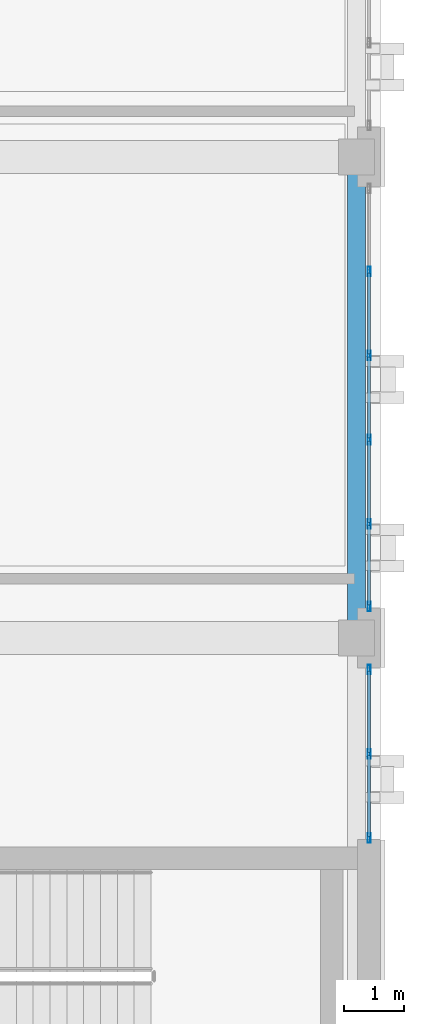
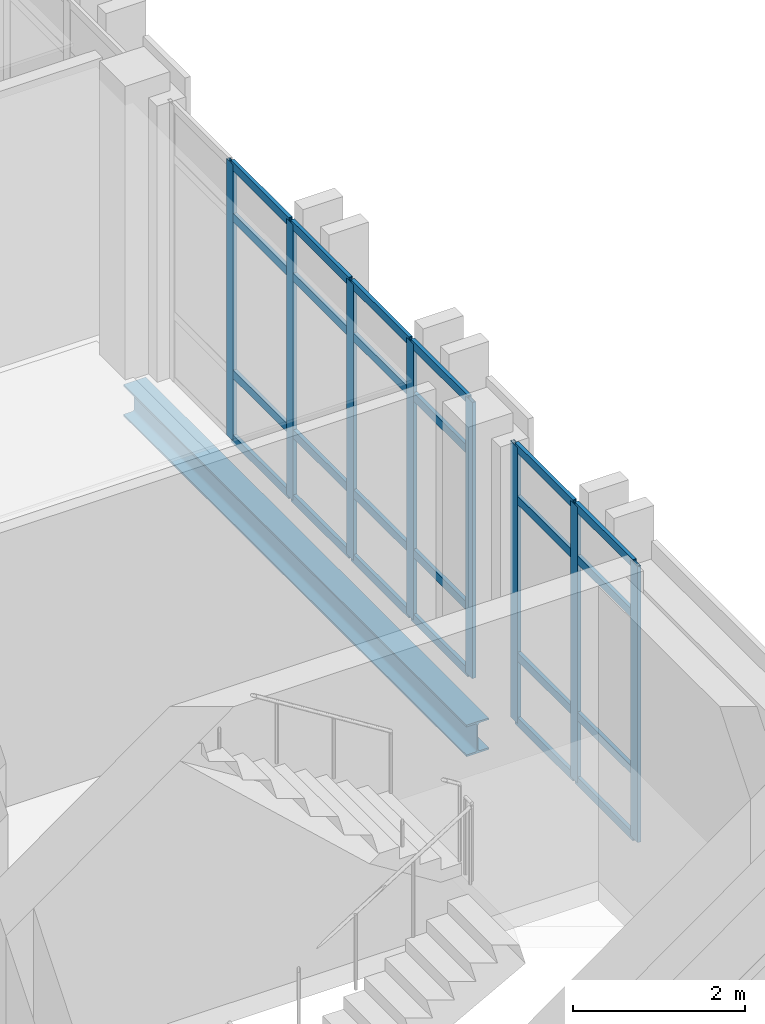
# One storey, part 24 of 90: 32 members, 1 beam, 2 elements without a shape of their own.
"""IFC4 building model written with IfcOpenShell, lengths in metres."""

import ifcopenshell
import ifcopenshell.guid

model = None  # the IFC model being written
_history = None  # IfcOwnerHistory: only IFC2X3 demands one
_inside = {}  # id of a spatial element -> (the spatial element, [elements in it])
_under = {}  # id of a project, library or spatial element -> (it, [spatial elements below it])
_declared = {}  # id of a project -> (the project, [libraries it declares])
_typed = {}  # id of a type object -> (the type object, [elements of that type])
_made_of = {}  # id of a material, layer set ... -> (it, [elements and type objects made of it])


def new_model(schema):
    """Start an empty IFC model of exactly this schema.

    Asked for "IFC4X3", IfcOpenShell would pick the latest addendum, in which some entities
    have other attributes; the version numbers below select the first issue.
    IFC2X3 requires an IfcOwnerHistory on every rooted entity: one is made here for all.
    """
    global model, _history
    if schema == "IFC4X3":
        model = ifcopenshell.file(schema_version=(4, 3, 0, 0))
    else:
        model = ifcopenshell.file(schema=schema)
    _inside.clear()
    _under.clear()
    _declared.clear()
    _typed.clear()
    _made_of.clear()
    _history = None
    if model.schema == "IFC2X3":
        org = make("IfcOrganization", Name="unknown")
        user = make(
            "IfcPersonAndOrganization",
            ThePerson=make("IfcPerson", FamilyName="unknown"),
            TheOrganization=org,
        )
        app = make(
            "IfcApplication",
            ApplicationDeveloper=org,
            Version="unknown",
            ApplicationFullName="unknown",
            ApplicationIdentifier="unknown",
        )
        _history = make(
            "IfcOwnerHistory",
            OwningUser=user,
            OwningApplication=app,
            ChangeAction="ADDED",
            CreationDate=0,
        )
    return model


def make(cls, **values):
    """One entity of the class cls with the attributes given. An attribute that is None is left unset."""
    return model.create_entity(
        cls, **{name: value for name, value in values.items() if value is not None}
    )


def rooted(cls, **values):
    """An entity with a GlobalId (a new one), such as an element, a storey or a relation."""
    return make(cls, GlobalId=ifcopenshell.guid.new(), OwnerHistory=_history, **values)


def si_unit(unit_type, name, prefix=None):
    """IfcSIUnit, for example si_unit("LENGTHUNIT", "METRE", prefix="MILLI")."""
    return make("IfcSIUnit", UnitType=unit_type, Prefix=prefix, Name=name)


def assignment(units):
    """IfcUnitAssignment: the units of a project."""
    return None if units is None else make("IfcUnitAssignment", Units=units)


def point(xyz):
    """IfcCartesianPoint."""
    return None if xyz is None else make("IfcCartesianPoint", Coordinates=xyz)


def direction(xyz):
    """IfcDirection."""
    return None if xyz is None else make("IfcDirection", DirectionRatios=xyz)


def frame(location, z_axis=None, x_axis=None):
    """IfcAxis2Placement3D, a coordinate frame: its origin and axes. An axis left out is left unset."""
    return make(
        "IfcAxis2Placement3D",
        Location=point(location),
        Axis=direction(z_axis),
        RefDirection=direction(x_axis),
    )


def frame_2d(location, x_axis=None):
    """IfcAxis2Placement2D, a coordinate frame in the plane: its origin and x axis."""
    return make(
        "IfcAxis2Placement2D", Location=point(location), RefDirection=direction(x_axis)
    )


def origin():
    """The frame at (0, 0, 0) with its axes left unset."""
    return frame((0.0, 0.0, 0.0))


def origin_2d():
    """The frame at (0, 0) in the plane with its x axis left unset."""
    return frame_2d((0.0, 0.0))


def place(relative_to, where):
    """IfcLocalPlacement: puts the frame where relative to a parent placement (None: the world)."""
    return make(
        "IfcLocalPlacement", PlacementRelTo=relative_to, RelativePlacement=where
    )


def context(
    kind, dimensions, precision=None, world=None, true_north=None, identifier=None
):
    """IfcGeometricRepresentationContext, for example the 3D "Model" context."""
    return make(
        "IfcGeometricRepresentationContext",
        ContextIdentifier=identifier,
        ContextType=kind,
        CoordinateSpaceDimension=dimensions,
        Precision=precision,
        WorldCoordinateSystem=world,
        TrueNorth=true_north,
    )


def subcontext(parent, identifier, kind, view, scale=None):
    """IfcGeometricRepresentationSubContext, for example "Body" below "Model"."""
    return make(
        "IfcGeometricRepresentationSubContext",
        ContextIdentifier=identifier,
        ContextType=kind,
        ParentContext=parent,
        TargetScale=scale,
        TargetView=view,
    )


def project(units=None, contexts=None):
    """IfcProject with its units and contexts."""
    return rooted(
        "IfcProject",
        Name="project",
        RepresentationContexts=contexts,
        UnitsInContext=assignment(units),
    )


def spatial(cls, under=None, at=None, **own):
    """A site, building, storey or space (cls), placed at a placement, below another one or the project."""
    s = rooted(cls, ObjectPlacement=at, **own)
    if under is not None:
        _under.setdefault(under.id(), (under, []))[1].append(s)
    return s


def profile(cls, at=None, kind="AREA", **sizes):
    """A parametric profile (cls). Its sizes go by their IFC names, for example OverallWidth=200.0."""
    return make(cls, ProfileType=kind, Position=at, **sizes)


def hollow_rectangle(**sizes):
    """IfcRectangleHollowProfileDef."""
    return profile("IfcRectangleHollowProfileDef", **sizes)


def i_section(**sizes):
    """IfcIShapeProfileDef."""
    return profile("IfcIShapeProfileDef", **sizes)


def extrude(swept, where, along, depth):
    """IfcExtrudedAreaSolid: the profile swept, set in the frame where, extruded along a direction by depth."""
    return make(
        "IfcExtrudedAreaSolid",
        SweptArea=swept,
        Position=where,
        ExtrudedDirection=direction(along),
        Depth=depth,
    )


def shape(context_of_items, identifier, shape_type, items):
    """IfcShapeRepresentation: the items that make up one representation, for example the "Body"."""
    return make(
        "IfcShapeRepresentation",
        ContextOfItems=context_of_items,
        RepresentationIdentifier=identifier,
        RepresentationType=shape_type,
        Items=items,
    )


def material(Name=None, Category=None):
    """IfcMaterial."""
    return make("IfcMaterial", Name=Name, Category=Category)


def layer(
    of_material, thickness, ventilated=None, Name=None, Category=None, Priority=None
):
    """IfcMaterialLayer: one layer of a wall or slab, of a material (None: an air gap)."""
    return make(
        "IfcMaterialLayer",
        Material=of_material,
        LayerThickness=thickness,
        IsVentilated=ventilated,
        Name=Name,
        Category=Category,
        Priority=Priority,
    )


def layer_set(layers, Name=None):
    """IfcMaterialLayerSet."""
    return make("IfcMaterialLayerSet", MaterialLayers=layers, LayerSetName=Name)


def material_profile(
    of_material, cross_section, Name=None, Category=None, Priority=None
):
    """IfcMaterialProfile: a cross section and its material."""
    return make(
        "IfcMaterialProfile",
        Name=Name,
        Material=of_material,
        Profile=cross_section,
        Priority=Priority,
        Category=Category,
    )


def profile_set(profiles, Name=None, composite=None):
    """IfcMaterialProfileSet."""
    return make(
        "IfcMaterialProfileSet",
        Name=Name,
        MaterialProfiles=profiles,
        CompositeProfile=composite,
    )


def made_of(thing, what):
    """Note that an element or type object is made of a material, layer set ...; save() writes the relation."""
    if what is not None:
        _made_of.setdefault(what.id(), (what, []))[1].append(thing)
    return thing


def type_object(cls, material=None, **own):
    """A type object (cls), such as IfcWallType, which elements share."""
    return made_of(rooted(cls, **own), material)


def element(
    cls,
    number,
    at=None,
    inside=None,
    cuts=None,
    type_object=None,
    material=None,
    context=None,
    identifier="Body",
    shape_type=None,
    held_by="IfcProductDefinitionShape",
    body=None,
    shapes=None,
    **own,
):
    """One element of the class cls, such as IfcWall. Its Tag is "e" and its number.

    at: its placement. inside: the storey or other place that contains it. cuts: it is an
    opening in that element (IfcRelVoidsElement). A single representation is given by context,
    identifier, shape_type and body (its items); several are given by shapes. held_by: the class
    of the entity that holds the representations. save() writes the other relations.
    """
    e = rooted(cls, Tag="e%d" % number, ObjectPlacement=at, **own)
    if body is not None:
        shapes = [shape(context, identifier, shape_type, body)]
    if shapes is not None:
        e.Representation = make(held_by, Representations=shapes)
    if inside is not None:
        _inside.setdefault(inside.id(), (inside, []))[1].append(e)
    if cuts is not None:
        rooted(
            "IfcRelVoidsElement", RelatingBuildingElement=cuts, RelatedOpeningElement=e
        )
    if type_object is not None:
        _typed.setdefault(type_object.id(), (type_object, []))[1].append(e)
    return made_of(e, material)


def aggregate(whole, parts):
    """IfcRelAggregates: a whole, such as a stair, and the parts it consists of."""
    return rooted("IfcRelAggregates", RelatingObject=whole, RelatedObjects=parts)


def save(model, path):
    """Write the relations noted so far, then the file.

    IfcRelAggregates (storeys below a building ...), IfcRelContainedInSpatialStructure (elements
    in a storey), IfcRelDefinesByType, IfcRelAssociatesMaterial and IfcRelDeclares: one each for
    every whole, place, type object, material and project.
    """
    for whole, parts in _under.values():
        aggregate(whole, parts)
    for where, things in _inside.values():
        rooted(
            "IfcRelContainedInSpatialStructure",
            RelatedElements=things,
            RelatingStructure=where,
        )
    for kind, things in _typed.values():
        rooted("IfcRelDefinesByType", RelatedObjects=things, RelatingType=kind)
    for what, things in _made_of.values():
        rooted("IfcRelAssociatesMaterial", RelatedObjects=things, RelatingMaterial=what)
    for by, libraries in _declared.values():
        rooted("IfcRelDeclares", RelatingContext=by, RelatedDefinitions=libraries)
    model.write(path)


model = new_model("IFC4")

# Units and contexts
model_context = context("Model", 3, precision=1e-05, world=origin(), true_north=direction((0.0, 1.0)))
body_context = subcontext(model_context, "Body", "Model", "MODEL_VIEW")
ifc_project = project(units=[si_unit("LENGTHUNIT", "METRE"), si_unit("AREAUNIT", "SQUARE_METRE"), si_unit("VOLUMEUNIT", "CUBIC_METRE"), si_unit("PLANEANGLEUNIT", "RADIAN"), si_unit("MASSUNIT", "GRAM", prefix="KILO")], contexts=[model_context])

# Site, building, storey
site_placement = place(None, origin())
site = spatial("IfcSite", under=ifc_project, at=site_placement, CompositionType="ELEMENT")
building_placement = place(site_placement, origin())
building = spatial("IfcBuilding", under=site, at=building_placement, Name="Qalavern Law Courts", CompositionType="ELEMENT")
storey_placement = place(building_placement, frame((0.0, 0.0, 22.800048828125)))
storey = spatial("IfcBuildingStorey", under=building, at=storey_placement, Name="L05", CompositionType="ELEMENT", Elevation=22.800048828125)

# Curtain wall, members
ifc_material_1 = material(Name="Anodised aluminium and insulated glazing", Category="aluminium")
ifc_layer = layer(ifc_material_1, 0.159912109375)
ifc_layer_set = layer_set([ifc_layer], Name="Anodised aluminium and insulated glazing")
curtain_wall_type = type_object("IfcCurtainWallType", Name="ENV-CW-CHAMB", PredefinedType="USERDEFINED", material=ifc_layer_set)
curtain_wall_1_placement = place(storey_placement, origin())
curtain_wall_1 = element("IfcCurtainWall", 1, at=curtain_wall_1_placement, inside=storey, type_object=curtain_wall_type, Name="V4 unitised curtain wall L05 east 1", ObjectType="UNITISED CURTAIN WALL", PredefinedType="USERDEFINED")
ifc_material_2 = material(Name="Anodised aluminium", Category="aluminium")
ifc_material_profile_1 = material_profile(ifc_material_2, hollow_rectangle(XDim=0.048095703125, YDim=0.159912109375, WallThickness=0.00390625, at=origin_2d()), Name="ALU MULLION 48x160")
ifc_profile_set_1 = profile_set([ifc_material_profile_1], Name="Anodised aluminium")
member_type_1 = type_object("IfcMemberType", Name="ENV-CWM-48x160", PredefinedType="MULLION", material=ifc_profile_set_1)
member_1_placement = place(storey_placement, frame((106.607421875, 46.073974609375, 0.0), z_axis=(0.0, 0.0, 1.0), x_axis=(-1.0, 0.0, 0.0)))
member_1 = element("IfcMember", 2, at=member_1_placement, type_object=member_type_1, Name="CW-04 mullion 1", PredefinedType="MULLION", context=body_context, shape_type="SweptSolid", body=[
    extrude(hollow_rectangle(XDim=0.048095703125, YDim=0.159912109375, WallThickness=0.00390625, at=origin_2d()), origin(), (0.0, 0.0, 1.0), 3.929931640625),
])
member_2_placement = place(storey_placement, frame((106.607421875, 47.47509765625, 0.0), z_axis=(0.0, 0.0, 1.0), x_axis=(-1.0, 0.0, 0.0)))
member_2 = element("IfcMember", 3, at=member_2_placement, type_object=member_type_1, Name="CW-04 mullion 2", PredefinedType="MULLION", context=body_context, shape_type="SweptSolid", body=[
    extrude(hollow_rectangle(XDim=0.048095703125, YDim=0.159912109375, WallThickness=0.00390625, at=origin_2d()), origin(), (0.0, 0.0, 1.0), 3.929931640625),
])
member_3_placement = place(storey_placement, frame((106.607421875, 48.8759765625, 0.0), z_axis=(0.0, 0.0, 1.0), x_axis=(-1.0, 0.0, 0.0)))
member_3 = element("IfcMember", 4, at=member_3_placement, type_object=member_type_1, Name="CW-04 mullion 3", PredefinedType="MULLION", context=body_context, shape_type="SweptSolid", body=[
    extrude(hollow_rectangle(XDim=0.048095703125, YDim=0.159912109375, WallThickness=0.00390625, at=origin_2d()), origin(), (0.0, 0.0, 1.0), 3.929931640625),
])

curtain_wall_2_placement = place(storey_placement, origin())
curtain_wall_2 = element("IfcCurtainWall", 5, at=curtain_wall_2_placement, inside=storey, type_object=curtain_wall_type, Name="V4 unitised curtain wall L05 east 2", ObjectType="UNITISED CURTAIN WALL", PredefinedType="USERDEFINED")
member_4_placement = place(storey_placement, frame((106.607421875, 49.924072265625, 0.0), z_axis=(0.0, 0.0, 1.0), x_axis=(-1.0, 0.0, 0.0)))
member_4 = element("IfcMember", 6, at=member_4_placement, type_object=member_type_1, Name="CW-04 mullion 1", PredefinedType="MULLION", context=body_context, shape_type="SweptSolid", body=[
    extrude(hollow_rectangle(XDim=0.048095703125, YDim=0.159912109375, WallThickness=0.00390625, at=origin_2d()), origin(), (0.0, 0.0, 1.0), 3.929931640625),
])
member_5_placement = place(storey_placement, frame((106.607421875, 51.300048828125, 0.0), z_axis=(0.0, 0.0, 1.0), x_axis=(-1.0, 0.0, 0.0)))
member_5 = element("IfcMember", 7, at=member_5_placement, type_object=member_type_1, Name="CW-04 mullion 2", PredefinedType="MULLION", context=body_context, shape_type="SweptSolid", body=[
    extrude(hollow_rectangle(XDim=0.048095703125, YDim=0.159912109375, WallThickness=0.00390625, at=origin_2d()), origin(), (0.0, 0.0, 1.0), 3.929931640625),
])
member_6_placement = place(storey_placement, frame((106.607421875, 52.699951171875, 0.0), z_axis=(0.0, 0.0, 1.0), x_axis=(-1.0, 0.0, 0.0)))
member_6 = element("IfcMember", 8, at=member_6_placement, type_object=member_type_1, Name="CW-04 mullion 3", PredefinedType="MULLION", context=body_context, shape_type="SweptSolid", body=[
    extrude(hollow_rectangle(XDim=0.048095703125, YDim=0.159912109375, WallThickness=0.00390625, at=origin_2d()), origin(), (0.0, 0.0, 1.0), 3.929931640625),
])
member_7_placement = place(storey_placement, frame((106.607421875, 54.10009765625, 0.0), z_axis=(0.0, 0.0, 1.0), x_axis=(-1.0, 0.0, 0.0)))
member_7 = element("IfcMember", 9, at=member_7_placement, type_object=member_type_1, Name="CW-04 mullion 4", PredefinedType="MULLION", context=body_context, shape_type="SweptSolid", body=[
    extrude(hollow_rectangle(XDim=0.048095703125, YDim=0.159912109375, WallThickness=0.00390625, at=origin_2d()), origin(), (0.0, 0.0, 1.0), 3.929931640625),
])
member_8_placement = place(storey_placement, frame((106.607421875, 55.5, 0.0), z_axis=(0.0, 0.0, 1.0), x_axis=(-1.0, 0.0, 0.0)))
member_8 = element("IfcMember", 10, at=member_8_placement, type_object=member_type_1, Name="CW-04 mullion 5", PredefinedType="MULLION", context=body_context, shape_type="SweptSolid", body=[
    extrude(hollow_rectangle(XDim=0.048095703125, YDim=0.159912109375, WallThickness=0.00390625, at=origin_2d()), origin(), (0.0, 0.0, 1.0), 3.929931640625),
])

# Member
ifc_material_profile_2 = material_profile(ifc_material_2, hollow_rectangle(XDim=0.048095703125, YDim=0.1201171875, WallThickness=0.00390625, at=origin_2d()), Name="ALU TRANSOM 48x120")
ifc_profile_set_2 = profile_set([ifc_material_profile_2], Name="Anodised aluminium")
member_type_2 = type_object("IfcMemberType", Name="ENV-CWT-48x120", PredefinedType="USERDEFINED", material=ifc_profile_set_2)
member_9_placement = place(storey_placement, frame((106.607421875, 46.097900390625, 0.02392578125), z_axis=(0.0, 1.0, 0.0), x_axis=(-1.0, 0.0, 0.0)))
member_9 = element("IfcMember", 11, at=member_9_placement, type_object=member_type_2, Name="CW-04 transom 1.1", ObjectType="TRANSOM", PredefinedType="USERDEFINED", context=body_context, shape_type="SweptSolid", body=[
    extrude(hollow_rectangle(XDim=0.048095703125, YDim=0.1201171875, WallThickness=0.00390625, at=origin_2d()), origin(), (0.0, 0.0, 1.0), 1.35302734375),
])

member_10_placement = place(storey_placement, frame((106.607421875, 46.097900390625, 0.949951171875), z_axis=(0.0, 1.0, 0.0), x_axis=(-1.0, 0.0, 0.0)))
member_10 = element("IfcMember", 12, at=member_10_placement, type_object=member_type_2, Name="CW-04 transom 1.2", ObjectType="TRANSOM", PredefinedType="USERDEFINED", context=body_context, shape_type="SweptSolid", body=[
    extrude(hollow_rectangle(XDim=0.048095703125, YDim=0.1201171875, WallThickness=0.00390625, at=origin_2d()), origin(), (0.0, 0.0, 1.0), 1.35302734375),
])

member_11_placement = place(storey_placement, frame((106.607421875, 46.097900390625, 3.179931640625), z_axis=(0.0, 1.0, 0.0), x_axis=(-1.0, 0.0, 0.0)))
member_11 = element("IfcMember", 13, at=member_11_placement, type_object=member_type_2, Name="CW-04 transom 1.3", ObjectType="TRANSOM", PredefinedType="USERDEFINED", context=body_context, shape_type="SweptSolid", body=[
    extrude(hollow_rectangle(XDim=0.048095703125, YDim=0.1201171875, WallThickness=0.00390625, at=origin_2d()), origin(), (0.0, 0.0, 1.0), 1.35302734375),
])

member_12_placement = place(storey_placement, frame((106.607421875, 46.097900390625, 3.906005859375), z_axis=(0.0, 1.0, 0.0), x_axis=(-1.0, 0.0, 0.0)))
member_12 = element("IfcMember", 14, at=member_12_placement, type_object=member_type_2, Name="CW-04 transom 1.4", ObjectType="TRANSOM", PredefinedType="USERDEFINED", context=body_context, shape_type="SweptSolid", body=[
    extrude(hollow_rectangle(XDim=0.048095703125, YDim=0.1201171875, WallThickness=0.00390625, at=origin_2d()), origin(), (0.0, 0.0, 1.0), 1.35302734375),
])

member_13_placement = place(storey_placement, frame((106.607421875, 47.4990234375, 0.02392578125), z_axis=(0.0, 1.0, 0.0), x_axis=(-1.0, 0.0, 0.0)))
member_13 = element("IfcMember", 15, at=member_13_placement, type_object=member_type_2, Name="CW-04 transom 2.1", ObjectType="TRANSOM", PredefinedType="USERDEFINED", context=body_context, shape_type="SweptSolid", body=[
    extrude(hollow_rectangle(XDim=0.048095703125, YDim=0.1201171875, WallThickness=0.00390625, at=origin_2d()), origin(), (0.0, 0.0, 1.0), 1.35302734375),
])

member_14_placement = place(storey_placement, frame((106.607421875, 47.4990234375, 0.949951171875), z_axis=(0.0, 1.0, 0.0), x_axis=(-1.0, 0.0, 0.0)))
member_14 = element("IfcMember", 16, at=member_14_placement, type_object=member_type_2, Name="CW-04 transom 2.2", ObjectType="TRANSOM", PredefinedType="USERDEFINED", context=body_context, shape_type="SweptSolid", body=[
    extrude(hollow_rectangle(XDim=0.048095703125, YDim=0.1201171875, WallThickness=0.00390625, at=origin_2d()), origin(), (0.0, 0.0, 1.0), 1.35302734375),
])

member_15_placement = place(storey_placement, frame((106.607421875, 47.4990234375, 3.179931640625), z_axis=(0.0, 1.0, 0.0), x_axis=(-1.0, 0.0, 0.0)))
member_15 = element("IfcMember", 17, at=member_15_placement, type_object=member_type_2, Name="CW-04 transom 2.3", ObjectType="TRANSOM", PredefinedType="USERDEFINED", context=body_context, shape_type="SweptSolid", body=[
    extrude(hollow_rectangle(XDim=0.048095703125, YDim=0.1201171875, WallThickness=0.00390625, at=origin_2d()), origin(), (0.0, 0.0, 1.0), 1.35302734375),
])

member_16_placement = place(storey_placement, frame((106.607421875, 47.4990234375, 3.906005859375), z_axis=(0.0, 1.0, 0.0), x_axis=(-1.0, 0.0, 0.0)))
member_16 = element("IfcMember", 18, at=member_16_placement, type_object=member_type_2, Name="CW-04 transom 2.4", ObjectType="TRANSOM", PredefinedType="USERDEFINED", context=body_context, shape_type="SweptSolid", body=[
    extrude(hollow_rectangle(XDim=0.048095703125, YDim=0.1201171875, WallThickness=0.00390625, at=origin_2d()), origin(), (0.0, 0.0, 1.0), 1.35302734375),
])

aggregate(curtain_wall_1, [member_1, member_2, member_3, member_9, member_10, member_11, member_12, member_13, member_14, member_15, member_16])

member_17_placement = place(storey_placement, frame((106.607421875, 49.947998046875, 0.02392578125), z_axis=(0.0, 1.0, 0.0), x_axis=(-1.0, 0.0, 0.0)))
member_17 = element("IfcMember", 19, at=member_17_placement, type_object=member_type_2, Name="CW-04 transom 1.1", ObjectType="TRANSOM", PredefinedType="USERDEFINED", context=body_context, shape_type="SweptSolid", body=[
    extrude(hollow_rectangle(XDim=0.048095703125, YDim=0.1201171875, WallThickness=0.00390625, at=origin_2d()), origin(), (0.0, 0.0, 1.0), 1.327880859375),
])

member_18_placement = place(storey_placement, frame((106.607421875, 49.947998046875, 0.949951171875), z_axis=(0.0, 1.0, 0.0), x_axis=(-1.0, 0.0, 0.0)))
member_18 = element("IfcMember", 20, at=member_18_placement, type_object=member_type_2, Name="CW-04 transom 1.2", ObjectType="TRANSOM", PredefinedType="USERDEFINED", context=body_context, shape_type="SweptSolid", body=[
    extrude(hollow_rectangle(XDim=0.048095703125, YDim=0.1201171875, WallThickness=0.00390625, at=origin_2d()), origin(), (0.0, 0.0, 1.0), 1.327880859375),
])

member_19_placement = place(storey_placement, frame((106.607421875, 49.947998046875, 3.179931640625), z_axis=(0.0, 1.0, 0.0), x_axis=(-1.0, 0.0, 0.0)))
member_19 = element("IfcMember", 21, at=member_19_placement, type_object=member_type_2, Name="CW-04 transom 1.3", ObjectType="TRANSOM", PredefinedType="USERDEFINED", context=body_context, shape_type="SweptSolid", body=[
    extrude(hollow_rectangle(XDim=0.048095703125, YDim=0.1201171875, WallThickness=0.00390625, at=origin_2d()), origin(), (0.0, 0.0, 1.0), 1.327880859375),
])

member_20_placement = place(storey_placement, frame((106.607421875, 49.947998046875, 3.906005859375), z_axis=(0.0, 1.0, 0.0), x_axis=(-1.0, 0.0, 0.0)))
member_20 = element("IfcMember", 22, at=member_20_placement, type_object=member_type_2, Name="CW-04 transom 1.4", ObjectType="TRANSOM", PredefinedType="USERDEFINED", context=body_context, shape_type="SweptSolid", body=[
    extrude(hollow_rectangle(XDim=0.048095703125, YDim=0.1201171875, WallThickness=0.00390625, at=origin_2d()), origin(), (0.0, 0.0, 1.0), 1.327880859375),
])

member_21_placement = place(storey_placement, frame((106.607421875, 51.323974609375, 0.02392578125), z_axis=(0.0, 1.0, 0.0), x_axis=(-1.0, 0.0, 0.0)))
member_21 = element("IfcMember", 23, at=member_21_placement, type_object=member_type_2, Name="CW-04 transom 2.1", ObjectType="TRANSOM", PredefinedType="USERDEFINED", context=body_context, shape_type="SweptSolid", body=[
    extrude(hollow_rectangle(XDim=0.048095703125, YDim=0.1201171875, WallThickness=0.00390625, at=origin_2d()), origin(), (0.0, 0.0, 1.0), 1.35205078125),
])

member_22_placement = place(storey_placement, frame((106.607421875, 51.323974609375, 0.949951171875), z_axis=(0.0, 1.0, 0.0), x_axis=(-1.0, 0.0, 0.0)))
member_22 = element("IfcMember", 24, at=member_22_placement, type_object=member_type_2, Name="CW-04 transom 2.2", ObjectType="TRANSOM", PredefinedType="USERDEFINED", context=body_context, shape_type="SweptSolid", body=[
    extrude(hollow_rectangle(XDim=0.048095703125, YDim=0.1201171875, WallThickness=0.00390625, at=origin_2d()), origin(), (0.0, 0.0, 1.0), 1.35205078125),
])

member_23_placement = place(storey_placement, frame((106.607421875, 51.323974609375, 3.179931640625), z_axis=(0.0, 1.0, 0.0), x_axis=(-1.0, 0.0, 0.0)))
member_23 = element("IfcMember", 25, at=member_23_placement, type_object=member_type_2, Name="CW-04 transom 2.3", ObjectType="TRANSOM", PredefinedType="USERDEFINED", context=body_context, shape_type="SweptSolid", body=[
    extrude(hollow_rectangle(XDim=0.048095703125, YDim=0.1201171875, WallThickness=0.00390625, at=origin_2d()), origin(), (0.0, 0.0, 1.0), 1.35205078125),
])

member_24_placement = place(storey_placement, frame((106.607421875, 51.323974609375, 3.906005859375), z_axis=(0.0, 1.0, 0.0), x_axis=(-1.0, 0.0, 0.0)))
member_24 = element("IfcMember", 26, at=member_24_placement, type_object=member_type_2, Name="CW-04 transom 2.4", ObjectType="TRANSOM", PredefinedType="USERDEFINED", context=body_context, shape_type="SweptSolid", body=[
    extrude(hollow_rectangle(XDim=0.048095703125, YDim=0.1201171875, WallThickness=0.00390625, at=origin_2d()), origin(), (0.0, 0.0, 1.0), 1.35205078125),
])

member_25_placement = place(storey_placement, frame((106.607421875, 52.72412109375, 0.02392578125), z_axis=(0.0, 1.0, 0.0), x_axis=(-1.0, 0.0, 0.0)))
member_25 = element("IfcMember", 27, at=member_25_placement, type_object=member_type_2, Name="CW-04 transom 3.1", ObjectType="TRANSOM", PredefinedType="USERDEFINED", context=body_context, shape_type="SweptSolid", body=[
    extrude(hollow_rectangle(XDim=0.048095703125, YDim=0.1201171875, WallThickness=0.00390625, at=origin_2d()), origin(), (0.0, 0.0, 1.0), 1.351806640625),
])

member_26_placement = place(storey_placement, frame((106.607421875, 52.72412109375, 0.949951171875), z_axis=(0.0, 1.0, 0.0), x_axis=(-1.0, 0.0, 0.0)))
member_26 = element("IfcMember", 28, at=member_26_placement, type_object=member_type_2, Name="CW-04 transom 3.2", ObjectType="TRANSOM", PredefinedType="USERDEFINED", context=body_context, shape_type="SweptSolid", body=[
    extrude(hollow_rectangle(XDim=0.048095703125, YDim=0.1201171875, WallThickness=0.00390625, at=origin_2d()), origin(), (0.0, 0.0, 1.0), 1.351806640625),
])

member_27_placement = place(storey_placement, frame((106.607421875, 52.72412109375, 3.179931640625), z_axis=(0.0, 1.0, 0.0), x_axis=(-1.0, 0.0, 0.0)))
member_27 = element("IfcMember", 29, at=member_27_placement, type_object=member_type_2, Name="CW-04 transom 3.3", ObjectType="TRANSOM", PredefinedType="USERDEFINED", context=body_context, shape_type="SweptSolid", body=[
    extrude(hollow_rectangle(XDim=0.048095703125, YDim=0.1201171875, WallThickness=0.00390625, at=origin_2d()), origin(), (0.0, 0.0, 1.0), 1.351806640625),
])

member_28_placement = place(storey_placement, frame((106.607421875, 52.72412109375, 3.906005859375), z_axis=(0.0, 1.0, 0.0), x_axis=(-1.0, 0.0, 0.0)))
member_28 = element("IfcMember", 30, at=member_28_placement, type_object=member_type_2, Name="CW-04 transom 3.4", ObjectType="TRANSOM", PredefinedType="USERDEFINED", context=body_context, shape_type="SweptSolid", body=[
    extrude(hollow_rectangle(XDim=0.048095703125, YDim=0.1201171875, WallThickness=0.00390625, at=origin_2d()), origin(), (0.0, 0.0, 1.0), 1.351806640625),
])

member_29_placement = place(storey_placement, frame((106.607421875, 54.1240234375, 0.02392578125), z_axis=(0.0, 1.0, 0.0), x_axis=(-1.0, 0.0, 0.0)))
member_29 = element("IfcMember", 31, at=member_29_placement, type_object=member_type_2, Name="CW-04 transom 4.1", ObjectType="TRANSOM", PredefinedType="USERDEFINED", context=body_context, shape_type="SweptSolid", body=[
    extrude(hollow_rectangle(XDim=0.048095703125, YDim=0.1201171875, WallThickness=0.00390625, at=origin_2d()), origin(), (0.0, 0.0, 1.0), 1.35205078125),
])

member_30_placement = place(storey_placement, frame((106.607421875, 54.1240234375, 0.949951171875), z_axis=(0.0, 1.0, 0.0), x_axis=(-1.0, 0.0, 0.0)))
member_30 = element("IfcMember", 32, at=member_30_placement, type_object=member_type_2, Name="CW-04 transom 4.2", ObjectType="TRANSOM", PredefinedType="USERDEFINED", context=body_context, shape_type="SweptSolid", body=[
    extrude(hollow_rectangle(XDim=0.048095703125, YDim=0.1201171875, WallThickness=0.00390625, at=origin_2d()), origin(), (0.0, 0.0, 1.0), 1.35205078125),
])

member_31_placement = place(storey_placement, frame((106.607421875, 54.1240234375, 3.179931640625), z_axis=(0.0, 1.0, 0.0), x_axis=(-1.0, 0.0, 0.0)))
member_31 = element("IfcMember", 33, at=member_31_placement, type_object=member_type_2, Name="CW-04 transom 4.3", ObjectType="TRANSOM", PredefinedType="USERDEFINED", context=body_context, shape_type="SweptSolid", body=[
    extrude(hollow_rectangle(XDim=0.048095703125, YDim=0.1201171875, WallThickness=0.00390625, at=origin_2d()), origin(), (0.0, 0.0, 1.0), 1.35205078125),
])

member_32_placement = place(storey_placement, frame((106.607421875, 54.1240234375, 3.906005859375), z_axis=(0.0, 1.0, 0.0), x_axis=(-1.0, 0.0, 0.0)))
member_32 = element("IfcMember", 34, at=member_32_placement, type_object=member_type_2, Name="CW-04 transom 4.4", ObjectType="TRANSOM", PredefinedType="USERDEFINED", context=body_context, shape_type="SweptSolid", body=[
    extrude(hollow_rectangle(XDim=0.048095703125, YDim=0.1201171875, WallThickness=0.00390625, at=origin_2d()), origin(), (0.0, 0.0, 1.0), 1.35205078125),
])

aggregate(curtain_wall_2, [member_4, member_5, member_6, member_7, member_8, member_17, member_18, member_19, member_20, member_21, member_22, member_23, member_24, member_25, member_26, member_27, member_28, member_29, member_30, member_31, member_32])

# Beam
ifc_material_3 = material(Name="Steel S355", Category="steel")
ifc_material_profile_3 = material_profile(ifc_material_3, i_section(OverallWidth=0.300048828125, OverallDepth=0.449951171875, WebThickness=0.013916015625, FlangeThickness=0.02587890625, FilletRadius=0.027099609375, at=origin_2d()), Name="HEB 450")
ifc_profile_set_3 = profile_set([ifc_material_profile_3], Name="Steel S355")
beam_type = type_object("IfcBeamType", Name="STR-SP-HEB450", PredefinedType="SPANDREL", material=ifc_profile_set_3)
beam_placement = place(storey_placement, frame((106.39990234375, 49.39990234375, -0.5), z_axis=(0.0, 1.0, 0.0), x_axis=(-1.0, 0.0, 0.0)))
element("IfcBeam", 35, at=beam_placement, inside=storey, type_object=beam_type, Name="V4 Y-beam 3-2 L05", PredefinedType="SPANDREL", context=body_context, shape_type="SweptSolid", body=[
    extrude(i_section(OverallWidth=0.300048828125, OverallDepth=0.449951171875, WebThickness=0.013916015625, FlangeThickness=0.02587890625, FilletRadius=0.027099609375, at=origin_2d()), origin(), (0.0, 0.0, 1.0), 8.0),
])

save(model, "model.ifc")
